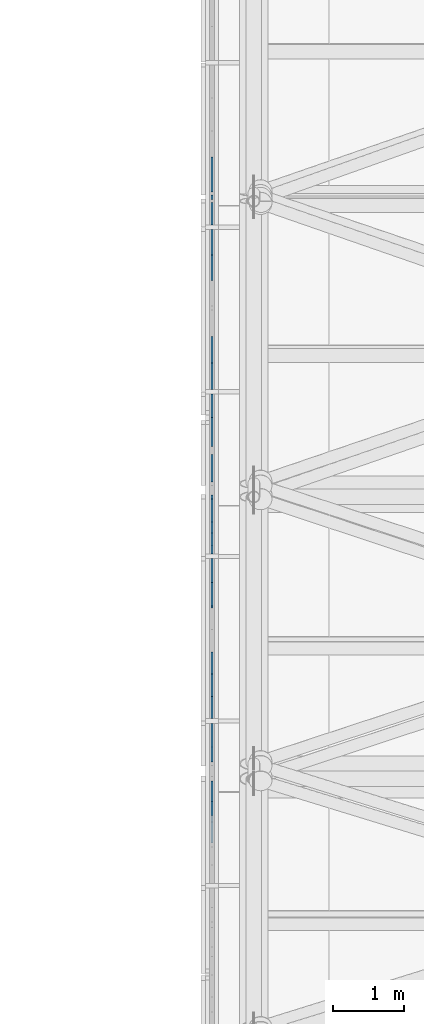
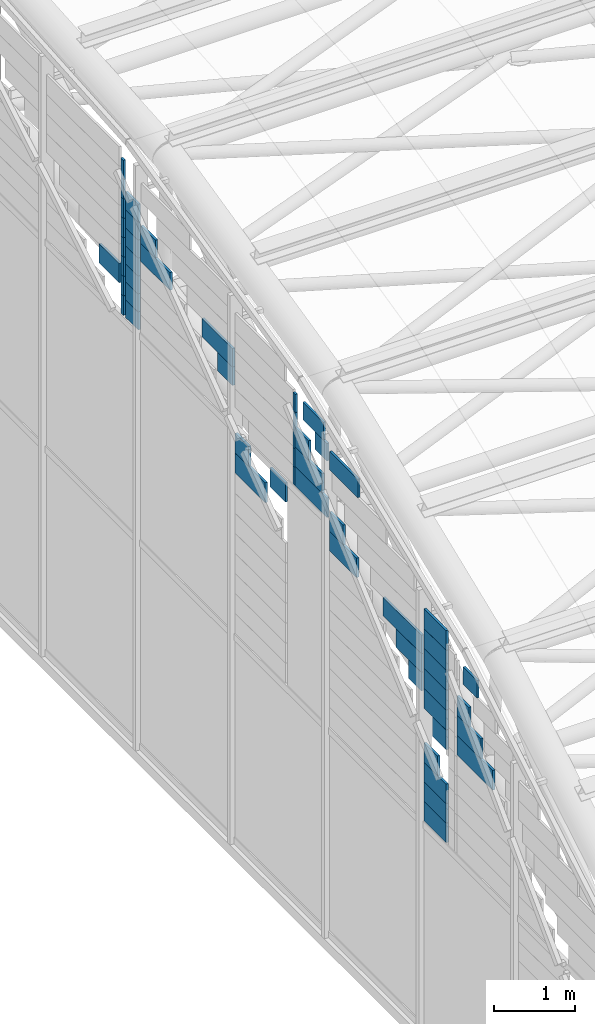
# One storey, part 70 of 110: 53 plates, 1 element without a shape of its own.
"""IFC4 building model written with IfcOpenShell, lengths in metres."""

from ifc_helpers import new_model, si_unit, direction, frame, origin, place, context, subcontext, project, spatial, polyline, outline, extrude, material, layer, layer_set, type_object, element, aggregate, save


model = new_model("IFC4")

# Units and contexts
model_context = context("Model", 3, precision=1e-05, world=origin(), true_north=direction((0.0, 1.0)))
body_context = subcontext(model_context, "Body", "Model", "MODEL_VIEW")
ifc_project = project(units=[si_unit("LENGTHUNIT", "METRE"), si_unit("AREAUNIT", "SQUARE_METRE"), si_unit("VOLUMEUNIT", "CUBIC_METRE"), si_unit("PLANEANGLEUNIT", "RADIAN"), si_unit("MASSUNIT", "GRAM", prefix="KILO")], contexts=[model_context])

# Site, building, storey
site_placement = place(None, origin())
site = spatial("IfcSite", under=ifc_project, at=site_placement, CompositionType="ELEMENT")
building_placement = place(site_placement, origin())
building = spatial("IfcBuilding", under=site, at=building_placement, Name="Windward Yard Aquatics Centre", CompositionType="ELEMENT")
storey_placement = place(building_placement, frame((0.0, 0.0, 22.60009765625)))
storey = spatial("IfcBuildingStorey", under=building, at=storey_placement, Name="L05", CompositionType="ELEMENT", Elevation=22.60009765625)

# Curtain wall, plates
ifc_material_1 = material(Name="Glass and aluminium curtain wall", Category="aluminium")
ifc_layer_1 = layer(ifc_material_1, 0.179931640625)
ifc_layer_set_1 = layer_set([ifc_layer_1], Name="H gable glazing system double glazed 8+16+8")
curtain_wall_type = type_object("IfcCurtainWallType", Name="H gable glazing system double glazed 8+16+8", PredefinedType="NOTDEFINED", material=ifc_layer_set_1)
curtain_wall_placement = place(storey_placement, origin())
curtain_wall = element("IfcCurtainWall", 1, at=curtain_wall_placement, inside=storey, type_object=curtain_wall_type, Name="Gable glazing W", PredefinedType="NOTDEFINED")
ifc_material_2 = material(Name="Low-iron glass", Category="glass")
ifc_layer_2 = layer(ifc_material_2, 0.008, Name="Outer pane")
ifc_material_3 = material(Name="Argon-filled cavity")
ifc_layer_3 = layer(ifc_material_3, 0.016, Name="Cavity")
ifc_layer_4 = layer(ifc_material_2, 0.008, Name="Inner pane")
ifc_layer_set_2 = layer_set([ifc_layer_2, ifc_layer_3, ifc_layer_4], Name="H gable glass low-e double glazed unit 32")
plate_type = type_object("IfcPlateType", Name="H gable glass low-e double glazed unit 32", PredefinedType="CURTAIN_PANEL", material=ifc_layer_set_2)
plate_1_placement = place(storey_placement, frame((59.426025390625, 48.829345703125, 3.14990234375), z_axis=(1.0, 0.0, 0.0), x_axis=(0.0, 1.0, 0.0)))
plate_1 = element("IfcPlate", 2, at=plate_1_placement, type_object=plate_type, Name="Gable panel 4.2a", PredefinedType="CURTAIN_PANEL", context=body_context, shape_type="SweptSolid", body=[
    extrude(outline(polyline([(0.0, 0.0), (0.541992, 0.0), (0.541992, 0.293213), (0.0, 0.293213), (0.0, 0.0)])), origin(), (0.0, 0.0, -1.0), 0.031982421875),
])
plate_2_placement = place(storey_placement, frame((59.426025390625, 48.829345703125, 3.443359375), z_axis=(1.0, 0.0, 0.0), x_axis=(0.0, 1.0, 0.0)))
plate_2 = element("IfcPlate", 3, at=plate_2_placement, type_object=plate_type, Name="Gable panel 4.2b", PredefinedType="CURTAIN_PANEL", context=body_context, shape_type="SweptSolid", body=[
    extrude(outline(polyline([(0.0, 0.0), (0.541992, 0.0), (0.541992, 0.292969), (0.0, 0.292969), (0.0, 0.0)])), origin(), (0.0, 0.0, -1.0), 0.031982421875),
])
plate_3_placement = place(storey_placement, frame((59.426025390625, 48.829345703125, 3.73681640625), z_axis=(1.0, 0.0, 0.0), x_axis=(0.0, 1.0, 0.0)))
plate_3 = element("IfcPlate", 4, at=plate_3_placement, type_object=plate_type, Name="Gable panel 4.2c", PredefinedType="CURTAIN_PANEL", context=body_context, shape_type="SweptSolid", body=[
    extrude(outline(polyline([(0.0, 0.0), (0.541992, 0.0), (0.541992, 0.292969), (0.0, 0.292969), (0.0, 0.0)])), origin(), (0.0, 0.0, -1.0), 0.031982421875),
])
plate_4_placement = place(storey_placement, frame((59.426025390625, 49.039794921875, 4.0302734375), z_axis=(1.0, 0.0, 0.0), x_axis=(0.0, 1.0, 0.0)))
plate_4 = element("IfcPlate", 5, at=plate_4_placement, type_object=plate_type, Name="Gable panel 4.2d", PredefinedType="CURTAIN_PANEL", context=body_context, shape_type="SweptSolid", body=[
    extrude(outline(polyline([(0.0, 0.0), (0.331543, 0.0), (0.331543, 0.292969), (0.0, 0.292969), (0.0, 0.0)])), origin(), (0.0, 0.0, -1.0), 0.031982421875),
])
plate_5_placement = place(storey_placement, frame((59.426025390625, 48.829345703125, 4.5419921875), z_axis=(1.0, 0.0, 0.0), x_axis=(0.0, 1.0, 0.0)))
plate_5 = element("IfcPlate", 6, at=plate_5_placement, type_object=plate_type, Name="Gable panel 4.2x", PredefinedType="CURTAIN_PANEL", context=body_context, shape_type="SweptSolid", body=[
    extrude(outline(polyline([(0.0, 0.0), (0.336914, 0.0), (0.336914, 0.297607), (0.0, 0.297607), (0.0, 0.0)])), origin(), (0.0, 0.0, -1.0), 0.031982421875),
])
plate_6_placement = place(storey_placement, frame((59.426025390625, 48.829345703125, 4.840087890625), z_axis=(1.0, 0.0, 0.0), x_axis=(0.0, 1.0, 0.0)))
plate_6 = element("IfcPlate", 7, at=plate_6_placement, type_object=plate_type, Name="Gable panel 4.2y", PredefinedType="CURTAIN_PANEL", context=body_context, shape_type="SweptSolid", body=[
    extrude(outline(polyline([(0.0, 0.0), (0.541992, 0.0), (0.541992, 0.297852), (0.0, 0.297852), (0.0, 0.0)])), origin(), (0.0, 0.0, -1.0), 0.031982421875),
])
plate_7_placement = place(storey_placement, frame((59.426025390625, 48.829345703125, 5.138427734375), z_axis=(1.0, 0.0, 0.0), x_axis=(0.0, 1.0, 0.0)))
plate_7 = element("IfcPlate", 8, at=plate_7_placement, type_object=plate_type, Name="Gable panel 4.2z", PredefinedType="CURTAIN_PANEL", context=body_context, shape_type="SweptSolid", body=[
    extrude(outline(polyline([(0.0, 0.0), (0.541992, 0.0), (0.541992, 0.297607), (0.0, 0.297607), (0.0, 0.0)])), origin(), (0.0, 0.0, -1.0), 0.031982421875),
])
plate_8_placement = place(storey_placement, frame((59.426025390625, 48.829345703125, 5.4365234375), z_axis=(1.0, 0.0, 0.0), x_axis=(0.0, 1.0, 0.0)))
plate_8 = element("IfcPlate", 9, at=plate_8_placement, type_object=plate_type, Name="Gable panel 4.2aa", PredefinedType="CURTAIN_PANEL", context=body_context, shape_type="SweptSolid", body=[
    extrude(outline(polyline([(0.0, 0.0), (0.541992, 0.0), (0.541992, 0.297852), (0.0, 0.297852), (0.0, 0.0)])), origin(), (0.0, 0.0, -1.0), 0.031982421875),
])
plate_9_placement = place(storey_placement, frame((59.426025390625, 48.829345703125, 5.73486328125), z_axis=(1.0, 0.0, 0.0), x_axis=(0.0, 1.0, 0.0)))
plate_9 = element("IfcPlate", 10, at=plate_9_placement, type_object=plate_type, Name="Gable panel 4.2ab", PredefinedType="CURTAIN_PANEL", context=body_context, shape_type="SweptSolid", body=[
    extrude(outline(polyline([(0.0, 0.0), (0.541992, 0.0), (0.541992, 0.297852), (0.0, 0.297852), (0.0, 0.0)])), origin(), (0.0, 0.0, -1.0), 0.031982421875),
])
plate_10_placement = place(storey_placement, frame((59.426025390625, 48.829345703125, 6.032958984375), z_axis=(1.0, 0.0, 0.0), x_axis=(0.0, 1.0, 0.0)))
plate_10 = element("IfcPlate", 11, at=plate_10_placement, type_object=plate_type, Name="Gable panel 4.2ac", PredefinedType="CURTAIN_PANEL", context=body_context, shape_type="SweptSolid", body=[
    extrude(outline(polyline([(0.0, 0.0), (0.541992, 0.0), (0.541992, 0.297852), (0.0, 0.297852), (0.0, 0.0)])), origin(), (0.0, 0.0, -1.0), 0.031982421875),
])
plate_11_placement = place(storey_placement, frame((59.426025390625, 47.68701171875, 4.63037109375), z_axis=(1.0, 0.0, 0.0), x_axis=(0.0, 1.0, 0.0)))
plate_11 = element("IfcPlate", 12, at=plate_11_placement, type_object=plate_type, Name="Gable panel 4.2as", PredefinedType="CURTAIN_PANEL", context=body_context, shape_type="SweptSolid", body=[
    extrude(outline(polyline([(0.0, 0.0), (0.874756, 0.0), (0.874756, 0.295654), (0.0, 0.295654), (0.0, 0.0)])), origin(), (0.0, 0.0, -1.0), 0.031982421875),
])
plate_12_placement = place(storey_placement, frame((59.426025390625, 47.978515625, 4.926513671875), z_axis=(1.0, 0.0, 0.0), x_axis=(0.0, 1.0, 0.0)))
plate_12 = element("IfcPlate", 13, at=plate_12_placement, type_object=plate_type, Name="Gable panel 4.2at", PredefinedType="CURTAIN_PANEL", context=body_context, shape_type="SweptSolid", body=[
    extrude(outline(polyline([(0.0, 0.0), (0.583252, 0.0), (0.583252, 0.295654), (0.0, 0.295654), (0.0, 0.0)])), origin(), (0.0, 0.0, -1.0), 0.031982421875),
])
plate_13_placement = place(storey_placement, frame((59.426025390625, 48.27001953125, 5.22265625), z_axis=(1.0, 0.0, 0.0), x_axis=(0.0, 1.0, 0.0)))
plate_13 = element("IfcPlate", 14, at=plate_13_placement, type_object=plate_type, Name="Gable panel 4.2au", PredefinedType="CURTAIN_PANEL", context=body_context, shape_type="SweptSolid", body=[
    extrude(outline(polyline([(0.0, 0.0), (0.291748, 0.0), (0.291748, 0.295654), (0.0, 0.295654), (0.0, 0.0)])), origin(), (0.0, 0.0, -1.0), 0.031982421875),
])
plate_14_placement = place(storey_placement, frame((59.426025390625, 48.071533203125, 5.777587890625), z_axis=(1.0, 0.0, 0.0), x_axis=(0.0, 1.0, 0.0)))
plate_14 = element("IfcPlate", 15, at=plate_14_placement, type_object=plate_type, Name="Gable panel 4.2az", PredefinedType="CURTAIN_PANEL", context=body_context, shape_type="SweptSolid", body=[
    extrude(outline(polyline([(0.0, 0.0), (0.341797, 0.0), (0.341797, 0.262939), (0.0, 0.262939), (0.0, 0.0)])), origin(), (0.0, 0.0, -1.0), 0.031982421875),
])
plate_15_placement = place(storey_placement, frame((59.426025390625, 51.02783203125, 5.791015625), z_axis=(1.0, 0.0, 0.0), x_axis=(0.0, 1.0, 0.0)))
plate_15 = element("IfcPlate", 16, at=plate_15_placement, type_object=plate_type, Name="Gable panel 5.2j", PredefinedType="CURTAIN_PANEL", context=body_context, shape_type="SweptSolid", body=[
    extrude(outline(polyline([(0.0, 0.0), (0.662842, 0.0), (0.662842, 0.292969), (0.0, 0.292969), (0.0, 0.0)])), origin(), (0.0, 0.0, -1.0), 0.031982421875),
])
plate_16_placement = place(storey_placement, frame((59.426025390625, 51.359130859375, 6.08447265625), z_axis=(1.0, 0.0, 0.0), x_axis=(0.0, 1.0, 0.0)))
plate_16 = element("IfcPlate", 17, at=plate_16_placement, type_object=plate_type, Name="Gable panel 5.2k", PredefinedType="CURTAIN_PANEL", context=body_context, shape_type="SweptSolid", body=[
    extrude(outline(polyline([(0.0, 0.0), (0.331543, 0.0), (0.331543, 0.292969), (0.0, 0.292969), (0.0, 0.0)])), origin(), (0.0, 0.0, -1.0), 0.031982421875),
])
plate_17_placement = place(storey_placement, frame((59.426025390625, 49.436279296875, 5.059326171875), z_axis=(1.0, 0.0, 0.0), x_axis=(0.0, 1.0, 0.0)))
plate_17 = element("IfcPlate", 18, at=plate_17_placement, type_object=plate_type, Name="Gable panel 5.2l", PredefinedType="CURTAIN_PANEL", context=body_context, shape_type="SweptSolid", body=[
    extrude(outline(polyline([(0.0, 0.0), (0.314209, 0.0), (0.314209, 0.277588), (0.0, 0.277588), (0.0, 0.0)])), origin(), (0.0, 0.0, -1.0), 0.031982421875),
])
plate_18_placement = place(storey_placement, frame((59.426025390625, 49.436279296875, 5.33740234375), z_axis=(1.0, 0.0, 0.0), x_axis=(0.0, 1.0, 0.0)))
plate_18 = element("IfcPlate", 19, at=plate_18_placement, type_object=plate_type, Name="Gable panel 5.2m", PredefinedType="CURTAIN_PANEL", context=body_context, shape_type="SweptSolid", body=[
    extrude(outline(polyline([(0.0, 0.0), (0.62793, 0.0), (0.62793, 0.277588), (0.0, 0.277588), (0.0, 0.0)])), origin(), (0.0, 0.0, -1.0), 0.031982421875),
])
plate_19_placement = place(storey_placement, frame((59.426025390625, 49.436279296875, 5.615478515625), z_axis=(1.0, 0.0, 0.0), x_axis=(0.0, 1.0, 0.0)))
plate_19 = element("IfcPlate", 20, at=plate_19_placement, type_object=plate_type, Name="Gable panel 5.2n", PredefinedType="CURTAIN_PANEL", context=body_context, shape_type="SweptSolid", body=[
    extrude(outline(polyline([(0.0, 0.0), (0.941895, 0.0), (0.941895, 0.277588), (0.0, 0.277588), (0.0, 0.0)])), origin(), (0.0, 0.0, -1.0), 0.031982421875),
])
plate_20_placement = place(storey_placement, frame((59.426025390625, 50.998291015625, 7.005615234375), z_axis=(1.0, 0.0, 0.0), x_axis=(0.0, 1.0, 0.0)))
plate_20 = element("IfcPlate", 21, at=plate_20_placement, type_object=plate_type, Name="Gable panel 5.2s", PredefinedType="CURTAIN_PANEL", context=body_context, shape_type="SweptSolid", body=[
    extrude(outline(polyline([(0.0, 0.0), (0.692383, 0.0), (0.692383, 0.277588), (0.0, 0.277588), (0.0, 0.0)])), origin(), (0.0, 0.0, -1.0), 0.031982421875),
])
plate_21_placement = place(storey_placement, frame((59.426025390625, 53.275634765625, 5.550048828125), z_axis=(1.0, 0.0, 0.0), x_axis=(0.0, 1.0, 0.0)))
plate_21 = element("IfcPlate", 22, at=plate_21_placement, type_object=plate_type, Name="Gable panel 6.2i", PredefinedType="CURTAIN_PANEL", context=body_context, shape_type="SweptSolid", body=[
    extrude(outline(polyline([(0.0, 0.0), (0.734131, 0.0), (0.734131, 0.299561), (0.0, 0.299561), (0.0, 0.0)])), origin(), (0.0, 0.0, -1.0), 0.031982421875),
])
plate_22_placement = place(storey_placement, frame((59.426025390625, 53.67919921875, 5.85009765625), z_axis=(1.0, 0.0, 0.0), x_axis=(0.0, 1.0, 0.0)))
plate_22 = element("IfcPlate", 23, at=plate_22_placement, type_object=plate_type, Name="Gable panel 6.2j", PredefinedType="CURTAIN_PANEL", context=body_context, shape_type="SweptSolid", body=[
    extrude(outline(polyline([(0.0, 0.0), (0.330566, 0.0), (0.330566, 0.299805), (0.0, 0.299805), (0.0, 0.0)])), origin(), (0.0, 0.0, -1.0), 0.031982421875),
])
plate_23_placement = place(storey_placement, frame((59.426025390625, 52.774169921875, 5.86328125), z_axis=(1.0, 0.0, 0.0), x_axis=(0.0, 1.0, 0.0)))
plate_23 = element("IfcPlate", 24, at=plate_23_placement, type_object=plate_type, Name="Gable panel 6.2l", PredefinedType="CURTAIN_PANEL", context=body_context, shape_type="SweptSolid", body=[
    extrude(outline(polyline([(0.0, 0.0), (0.385742, 0.0), (0.385742, 0.286621), (0.0, 0.286621), (0.0, 0.0)])), origin(), (0.0, 0.0, -1.0), 0.031982421875),
])
plate_24_placement = place(storey_placement, frame((59.426025390625, 51.755615234375, 6.25), z_axis=(1.0, 0.0, 0.0), x_axis=(0.0, 1.0, 0.0)))
plate_24 = element("IfcPlate", 25, at=plate_24_placement, type_object=plate_type, Name="Gable panel 6.3a", PredefinedType="CURTAIN_PANEL", context=body_context, shape_type="SweptSolid", body=[
    extrude(outline(polyline([(0.0, 0.0), (0.780518, 0.0), (0.780518, 0.292236), (0.0, 0.292236), (0.0, 0.0)])), origin(), (0.0, 0.0, -1.0), 0.031982421875),
])
plate_25_placement = place(storey_placement, frame((59.426025390625, 51.875244140625, 6.542724609375), z_axis=(1.0, 0.0, 0.0), x_axis=(0.0, 1.0, 0.0)))
plate_25 = element("IfcPlate", 26, at=plate_25_placement, type_object=plate_type, Name="Gable panel 6.3b", PredefinedType="CURTAIN_PANEL", context=body_context, shape_type="SweptSolid", body=[
    extrude(outline(polyline([(0.0, 0.0), (0.660889, 0.0), (0.660889, 0.291992), (0.0, 0.291992), (0.0, 0.0)])), origin(), (0.0, 0.0, -1.0), 0.031982421875),
])
plate_26_placement = place(storey_placement, frame((59.426025390625, 52.20556640625, 6.835205078125), z_axis=(1.0, 0.0, 0.0), x_axis=(0.0, 1.0, 0.0)))
plate_26 = element("IfcPlate", 27, at=plate_26_placement, type_object=plate_type, Name="Gable panel 6.3c", PredefinedType="CURTAIN_PANEL", context=body_context, shape_type="SweptSolid", body=[
    extrude(outline(polyline([(0.0, 0.0), (0.330566, 0.0), (0.330566, 0.291992), (0.0, 0.291992), (0.0, 0.0)])), origin(), (0.0, 0.0, -1.0), 0.031982421875),
])
plate_27_placement = place(storey_placement, frame((59.426025390625, 52.5361328125, 6.25), z_axis=(1.0, 0.0, 0.0), x_axis=(0.0, 1.0, 0.0)))
plate_27 = element("IfcPlate", 28, at=plate_27_placement, type_object=plate_type, Name="Gable panel 6.3d", PredefinedType="CURTAIN_PANEL", context=body_context, shape_type="SweptSolid", body=[
    extrude(outline(polyline([(0.0, 0.0), (0.052979, 0.0), (0.052979, 0.274414), (0.0, 0.274414), (0.0, 0.0)])), origin(), (0.0, 0.0, -1.0), 0.031982421875),
])
plate_28_placement = place(storey_placement, frame((59.426025390625, 52.5361328125, 6.52490234375), z_axis=(1.0, 0.0, 0.0), x_axis=(0.0, 1.0, 0.0)))
plate_28 = element("IfcPlate", 29, at=plate_28_placement, type_object=plate_type, Name="Gable panel 6.3e", PredefinedType="CURTAIN_PANEL", context=body_context, shape_type="SweptSolid", body=[
    extrude(outline(polyline([(0.0, 0.0), (0.052979, 0.0), (0.052979, 0.274414), (0.0, 0.274414), (0.0, 0.0)])), origin(), (0.0, 0.0, -1.0), 0.031982421875),
])
plate_29_placement = place(storey_placement, frame((59.426025390625, 52.5361328125, 6.799560546875), z_axis=(1.0, 0.0, 0.0), x_axis=(0.0, 1.0, 0.0)))
plate_29 = element("IfcPlate", 30, at=plate_29_placement, type_object=plate_type, Name="Gable panel 6.3f", PredefinedType="CURTAIN_PANEL", context=body_context, shape_type="SweptSolid", body=[
    extrude(outline(polyline([(0.0, 0.0), (0.052979, 0.0), (0.052979, 0.274414), (0.0, 0.274414), (0.0, 0.0)])), origin(), (0.0, 0.0, -1.0), 0.031982421875),
])
plate_30_placement = place(storey_placement, frame((59.426025390625, 52.5361328125, 7.074462890625), z_axis=(1.0, 0.0, 0.0), x_axis=(0.0, 1.0, 0.0)))
plate_30 = element("IfcPlate", 31, at=plate_30_placement, type_object=plate_type, Name="Gable panel 6.3g", PredefinedType="CURTAIN_PANEL", context=body_context, shape_type="SweptSolid", body=[
    extrude(outline(polyline([(0.0, 0.0), (0.052979, 0.0), (0.052979, 0.27417), (0.0, 0.27417), (0.0, 0.0)])), origin(), (0.0, 0.0, -1.0), 0.031982421875),
])
plate_31_placement = place(storey_placement, frame((59.426025390625, 52.5361328125, 7.34912109375), z_axis=(1.0, 0.0, 0.0), x_axis=(0.0, 1.0, 0.0)))
plate_31 = element("IfcPlate", 32, at=plate_31_placement, type_object=plate_type, Name="Gable panel 6.3h", PredefinedType="CURTAIN_PANEL", context=body_context, shape_type="SweptSolid", body=[
    extrude(outline(polyline([(0.0, 0.0), (0.052979, 0.0), (0.052979, 0.274414), (0.0, 0.274414), (0.0, 0.0)])), origin(), (0.0, 0.0, -1.0), 0.031982421875),
])
plate_32_placement = place(storey_placement, frame((59.426025390625, 51.755615234375, 7.098388671875), z_axis=(1.0, 0.0, 0.0), x_axis=(0.0, 1.0, 0.0)))
plate_32 = element("IfcPlate", 33, at=plate_32_placement, type_object=plate_type, Name="Gable panel 6.3o", PredefinedType="CURTAIN_PANEL", context=body_context, shape_type="SweptSolid", body=[
    extrude(outline(polyline([(0.0, 0.0), (0.296631, 0.0), (0.296631, 0.262207), (0.0, 0.262207), (0.0, 0.0)])), origin(), (0.0, 0.0, -1.0), 0.031982421875),
])
plate_33_placement = place(storey_placement, frame((59.426025390625, 51.844482421875, 7.36083984375), z_axis=(1.0, 0.0, 0.0), x_axis=(0.0, 1.0, 0.0)))
plate_33 = element("IfcPlate", 34, at=plate_33_placement, type_object=plate_type, Name="Gable panel 6.3p", PredefinedType="CURTAIN_PANEL", context=body_context, shape_type="SweptSolid", body=[
    extrude(outline(polyline([(0.0, 0.0), (0.504395, 0.0), (0.504395, 0.262451), (0.0, 0.262451), (0.0, 0.0)])), origin(), (0.0, 0.0, -1.0), 0.031982421875),
])
plate_34_placement = place(storey_placement, frame((59.426025390625, 55.610107421875, 7.319091796875), z_axis=(1.0, 0.0, 0.0), x_axis=(0.0, 1.0, 0.0)))
plate_34 = element("IfcPlate", 35, at=plate_34_placement, type_object=plate_type, Name="Gable panel 7.3e", PredefinedType="CURTAIN_PANEL", context=body_context, shape_type="SweptSolid", body=[
    extrude(outline(polyline([(0.0, 0.0), (0.718994, 0.0), (0.718994, 0.266846), (0.0, 0.266846), (0.0, 0.0)])), origin(), (0.0, 0.0, -1.0), 0.031982421875),
])
plate_35_placement = place(storey_placement, frame((59.426025390625, 55.969482421875, 7.58642578125), z_axis=(1.0, 0.0, 0.0), x_axis=(0.0, 1.0, 0.0)))
plate_35 = element("IfcPlate", 36, at=plate_35_placement, type_object=plate_type, Name="Gable panel 7.3f", PredefinedType="CURTAIN_PANEL", context=body_context, shape_type="SweptSolid", body=[
    extrude(outline(polyline([(0.0, 0.0), (0.359619, 0.0), (0.359619, 0.266846), (0.0, 0.266846), (0.0, 0.0)])), origin(), (0.0, 0.0, -1.0), 0.031982421875),
])
plate_36_placement = place(storey_placement, frame((59.426025390625, 54.07470703125, 6.822509765625), z_axis=(1.0, 0.0, 0.0), x_axis=(0.0, 1.0, 0.0)))
plate_36 = element("IfcPlate", 37, at=plate_36_placement, type_object=plate_type, Name="Gable panel 7.3g", PredefinedType="CURTAIN_PANEL", context=body_context, shape_type="SweptSolid", body=[
    extrude(outline(polyline([(0.0, 0.0), (0.374756, 0.0), (0.374756, 0.277832), (0.0, 0.277832), (0.0, 0.0)])), origin(), (0.0, 0.0, -1.0), 0.031982421875),
])
plate_37_placement = place(storey_placement, frame((59.426025390625, 54.07470703125, 7.100830078125), z_axis=(1.0, 0.0, 0.0), x_axis=(0.0, 1.0, 0.0)))
plate_37 = element("IfcPlate", 38, at=plate_37_placement, type_object=plate_type, Name="Gable panel 7.3h", PredefinedType="CURTAIN_PANEL", context=body_context, shape_type="SweptSolid", body=[
    extrude(outline(polyline([(0.0, 0.0), (0.749023, 0.0), (0.749023, 0.278076), (0.0, 0.278076), (0.0, 0.0)])), origin(), (0.0, 0.0, -1.0), 0.031982421875),
])
plate_38_placement = place(storey_placement, frame((59.426025390625, 56.85986328125, 6.673583984375), z_axis=(1.0, 0.0, 0.0), x_axis=(0.0, 1.0, 0.0)))
plate_38 = element("IfcPlate", 39, at=plate_38_placement, type_object=plate_type, Name="Gable panel 8.3d", PredefinedType="CURTAIN_PANEL", context=body_context, shape_type="SweptSolid", body=[
    extrude(outline(polyline([(0.0, 0.0), (0.490234, 0.0), (0.490234, 0.290771), (0.0, 0.290771), (0.0, 0.0)])), origin(), (0.0, 0.0, -1.0), 0.031982421875),
])
plate_39_placement = place(storey_placement, frame((59.426025390625, 56.75537109375, 6.25), z_axis=(1.0, 0.0, 0.0), x_axis=(0.0, 1.0, 0.0)))
plate_39 = element("IfcPlate", 40, at=plate_39_placement, type_object=plate_type, Name="Gable panel 8.3k", PredefinedType="CURTAIN_PANEL", context=body_context, shape_type="SweptSolid", body=[
    extrude(outline(polyline([(0.0, 0.0), (0.063721, 0.0), (0.063721, 0.290039), (0.0, 0.290039), (0.0, 0.0)])), origin(), (0.0, 0.0, -1.0), 0.031982421875),
])
plate_40_placement = place(storey_placement, frame((59.426025390625, 56.75537109375, 6.54052734375), z_axis=(1.0, 0.0, 0.0), x_axis=(0.0, 1.0, 0.0)))
plate_40 = element("IfcPlate", 41, at=plate_40_placement, type_object=plate_type, Name="Gable panel 8.3l", PredefinedType="CURTAIN_PANEL", context=body_context, shape_type="SweptSolid", body=[
    extrude(outline(polyline([(0.0, 0.0), (0.063721, 0.0), (0.063721, 0.289795), (0.0, 0.289795), (0.0, 0.0)])), origin(), (0.0, 0.0, -1.0), 0.031982421875),
])
plate_41_placement = place(storey_placement, frame((59.426025390625, 56.75537109375, 6.830810546875), z_axis=(1.0, 0.0, 0.0), x_axis=(0.0, 1.0, 0.0)))
plate_41 = element("IfcPlate", 42, at=plate_41_placement, type_object=plate_type, Name="Gable panel 8.3m", PredefinedType="CURTAIN_PANEL", context=body_context, shape_type="SweptSolid", body=[
    extrude(outline(polyline([(0.0, 0.0), (0.063721, 0.0), (0.063721, 0.289795), (0.0, 0.289795), (0.0, 0.0)])), origin(), (0.0, 0.0, -1.0), 0.031982421875),
])
plate_42_placement = place(storey_placement, frame((59.426025390625, 56.75537109375, 7.12109375), z_axis=(1.0, 0.0, 0.0), x_axis=(0.0, 1.0, 0.0)))
plate_42 = element("IfcPlate", 43, at=plate_42_placement, type_object=plate_type, Name="Gable panel 8.3n", PredefinedType="CURTAIN_PANEL", context=body_context, shape_type="SweptSolid", body=[
    extrude(outline(polyline([(0.0, 0.0), (0.063721, 0.0), (0.063721, 0.289795), (0.0, 0.289795), (0.0, 0.0)])), origin(), (0.0, 0.0, -1.0), 0.031982421875),
])
plate_43_placement = place(storey_placement, frame((59.426025390625, 56.75537109375, 7.411376953125), z_axis=(1.0, 0.0, 0.0), x_axis=(0.0, 1.0, 0.0)))
plate_43 = element("IfcPlate", 44, at=plate_43_placement, type_object=plate_type, Name="Gable panel 8.3o", PredefinedType="CURTAIN_PANEL", context=body_context, shape_type="SweptSolid", body=[
    extrude(outline(polyline([(0.0, 0.0), (0.063721, 0.0), (0.063721, 0.289795), (0.0, 0.289795), (0.0, 0.0)])), origin(), (0.0, 0.0, -1.0), 0.031982421875),
])
plate_44_placement = place(storey_placement, frame((59.426025390625, 56.75537109375, 7.70166015625), z_axis=(1.0, 0.0, 0.0), x_axis=(0.0, 1.0, 0.0)))
plate_44 = element("IfcPlate", 45, at=plate_44_placement, type_object=plate_type, Name="Gable panel 8.3p", PredefinedType="CURTAIN_PANEL", context=body_context, shape_type="SweptSolid", body=[
    extrude(outline(polyline([(0.0, 0.0), (0.063721, 0.0), (0.063721, 0.289795), (0.0, 0.289795), (0.0, 0.0)])), origin(), (0.0, 0.0, -1.0), 0.031982421875),
])
plate_45_placement = place(storey_placement, frame((59.426025390625, 56.75537109375, 7.991943359375), z_axis=(1.0, 0.0, 0.0), x_axis=(0.0, 1.0, 0.0)))
plate_45 = element("IfcPlate", 46, at=plate_45_placement, type_object=plate_type, Name="Gable panel 8.3q", PredefinedType="CURTAIN_PANEL", context=body_context, shape_type="SweptSolid", body=[
    extrude(outline(polyline([(0.0, 0.0), (0.063721, 0.0), (0.063721, 0.289795), (0.0, 0.289795), (0.0, 0.0)])), origin(), (0.0, 0.0, -1.0), 0.031982421875),
])
plate_46_placement = place(storey_placement, frame((59.426025390625, 56.75537109375, 8.2822265625), z_axis=(1.0, 0.0, 0.0), x_axis=(0.0, 1.0, 0.0)))
plate_46 = element("IfcPlate", 47, at=plate_46_placement, type_object=plate_type, Name="Gable panel 8.3r", PredefinedType="CURTAIN_PANEL", context=body_context, shape_type="SweptSolid", body=[
    extrude(outline(polyline([(0.0, 0.0), (0.063721, 0.0), (0.063721, 0.290039), (0.0, 0.290039), (0.0, 0.0)])), origin(), (0.0, 0.0, -1.0), 0.031982421875),
])
plate_47_placement = place(storey_placement, frame((59.426025390625, 56.39404296875, 6.25), z_axis=(1.0, 0.0, 0.0), x_axis=(0.0, 1.0, 0.0)))
plate_47 = element("IfcPlate", 48, at=plate_47_placement, type_object=plate_type, Name="Gable panel 8.3s", PredefinedType="CURTAIN_PANEL", context=body_context, shape_type="SweptSolid", body=[
    extrude(outline(polyline([(0.0, 0.0), (0.313477, 0.0), (0.313477, 0.268799), (0.0, 0.268799), (0.0, 0.0)])), origin(), (0.0, 0.0, -1.0), 0.031982421875),
])
plate_48_placement = place(storey_placement, frame((59.426025390625, 56.39404296875, 6.51904296875), z_axis=(1.0, 0.0, 0.0), x_axis=(0.0, 1.0, 0.0)))
plate_48 = element("IfcPlate", 49, at=plate_48_placement, type_object=plate_type, Name="Gable panel 8.3t", PredefinedType="CURTAIN_PANEL", context=body_context, shape_type="SweptSolid", body=[
    extrude(outline(polyline([(0.0, 0.0), (0.313477, 0.0), (0.313477, 0.268799), (0.0, 0.268799), (0.0, 0.0)])), origin(), (0.0, 0.0, -1.0), 0.031982421875),
])
plate_49_placement = place(storey_placement, frame((59.426025390625, 56.39404296875, 6.7880859375), z_axis=(1.0, 0.0, 0.0), x_axis=(0.0, 1.0, 0.0)))
plate_49 = element("IfcPlate", 50, at=plate_49_placement, type_object=plate_type, Name="Gable panel 8.3u", PredefinedType="CURTAIN_PANEL", context=body_context, shape_type="SweptSolid", body=[
    extrude(outline(polyline([(0.0, 0.0), (0.313477, 0.0), (0.313477, 0.268799), (0.0, 0.268799), (0.0, 0.0)])), origin(), (0.0, 0.0, -1.0), 0.031982421875),
])
plate_50_placement = place(storey_placement, frame((59.426025390625, 56.39404296875, 7.05712890625), z_axis=(1.0, 0.0, 0.0), x_axis=(0.0, 1.0, 0.0)))
plate_50 = element("IfcPlate", 51, at=plate_50_placement, type_object=plate_type, Name="Gable panel 8.3v", PredefinedType="CURTAIN_PANEL", context=body_context, shape_type="SweptSolid", body=[
    extrude(outline(polyline([(0.0, 0.0), (0.313477, 0.0), (0.313477, 0.268799), (0.0, 0.268799), (0.0, 0.0)])), origin(), (0.0, 0.0, -1.0), 0.031982421875),
])
plate_51_placement = place(storey_placement, frame((59.426025390625, 56.39404296875, 7.326171875), z_axis=(1.0, 0.0, 0.0), x_axis=(0.0, 1.0, 0.0)))
plate_51 = element("IfcPlate", 52, at=plate_51_placement, type_object=plate_type, Name="Gable panel 8.3w", PredefinedType="CURTAIN_PANEL", context=body_context, shape_type="SweptSolid", body=[
    extrude(outline(polyline([(0.0, 0.0), (0.313477, 0.0), (0.313477, 0.268799), (0.0, 0.268799), (0.0, 0.0)])), origin(), (0.0, 0.0, -1.0), 0.031982421875),
])
plate_52_placement = place(storey_placement, frame((59.426025390625, 56.39404296875, 7.59521484375), z_axis=(1.0, 0.0, 0.0), x_axis=(0.0, 1.0, 0.0)))
plate_52 = element("IfcPlate", 53, at=plate_52_placement, type_object=plate_type, Name="Gable panel 8.3x", PredefinedType="CURTAIN_PANEL", context=body_context, shape_type="SweptSolid", body=[
    extrude(outline(polyline([(0.0, 0.0), (0.313477, 0.0), (0.313477, 0.268799), (0.0, 0.268799), (0.0, 0.0)])), origin(), (0.0, 0.0, -1.0), 0.031982421875),
])
plate_53_placement = place(storey_placement, frame((59.426025390625, 56.39404296875, 7.8642578125), z_axis=(1.0, 0.0, 0.0), x_axis=(0.0, 1.0, 0.0)))
plate_53 = element("IfcPlate", 54, at=plate_53_placement, type_object=plate_type, Name="Gable panel 8.3y", PredefinedType="CURTAIN_PANEL", context=body_context, shape_type="SweptSolid", body=[
    extrude(outline(polyline([(0.0, 0.0), (0.313477, 0.0), (0.313477, 0.268799), (0.0, 0.268799), (0.0, 0.0)])), origin(), (0.0, 0.0, -1.0), 0.031982421875),
])
aggregate(curtain_wall, [plate_1, plate_2, plate_3, plate_4, plate_5, plate_6, plate_7, plate_8, plate_9, plate_10, plate_11, plate_12, plate_13, plate_14, plate_15, plate_16, plate_17, plate_18, plate_19, plate_20, plate_21, plate_22, plate_23, plate_24, plate_25, plate_26, plate_27, plate_28, plate_29, plate_30, plate_31, plate_32, plate_33, plate_34, plate_35, plate_36, plate_37, plate_38, plate_39, plate_40, plate_41, plate_42, plate_43, plate_44, plate_45, plate_46, plate_47, plate_48, plate_49, plate_50, plate_51, plate_52, plate_53])

save(model, "model.ifc")
